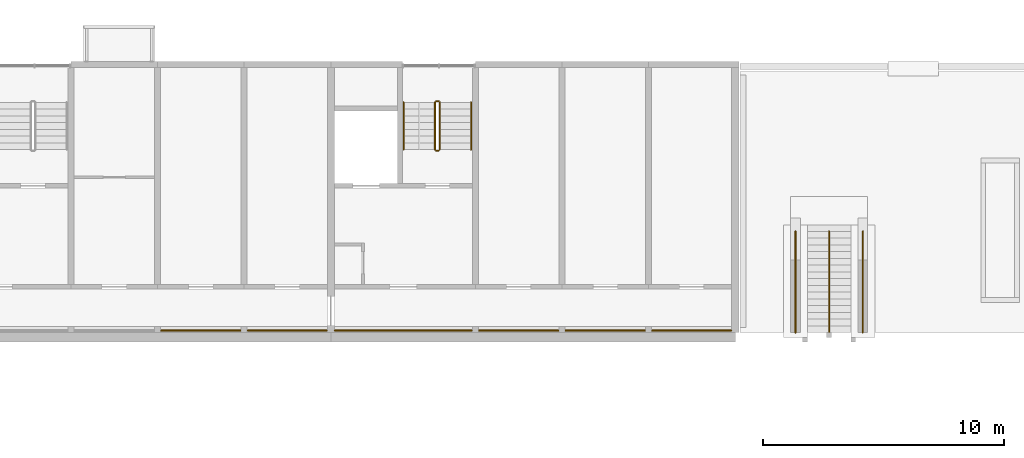
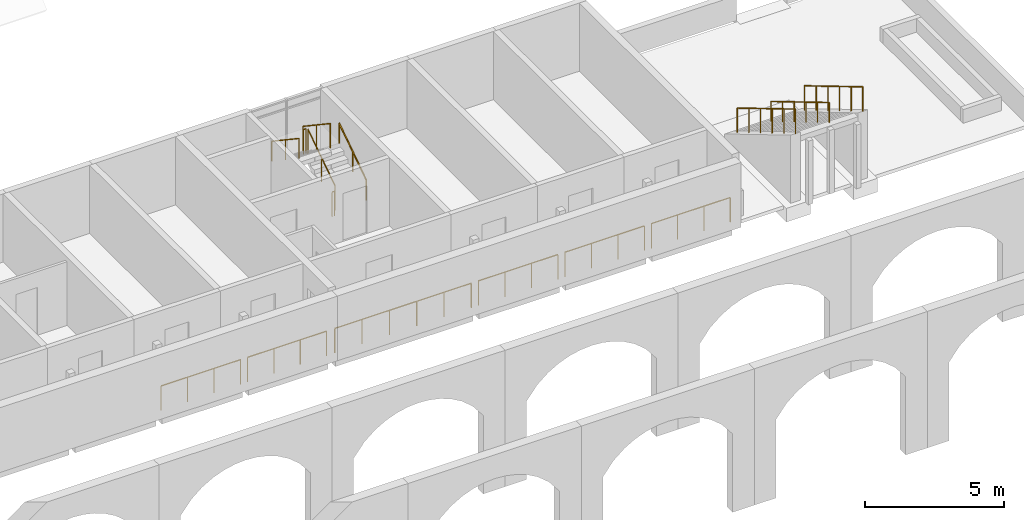
# One storey, part 116 of 122: 15 railings.
"""IFC4 building model written with IfcOpenShell, lengths in metres."""

from ifc_helpers import new_model, si_unit, direction, frame, origin, origin_2d, place, context, subcontext, project, spatial, circle, extrude, material, type_object, element, save


model = new_model("IFC4")

# Units and contexts
model_context = context("Model", 3, precision=1e-05, world=origin(), true_north=direction((0.0, 1.0)))
body_context = subcontext(model_context, "Body", "Model", "MODEL_VIEW")
ifc_project = project(units=[si_unit("LENGTHUNIT", "METRE"), si_unit("AREAUNIT", "SQUARE_METRE"), si_unit("VOLUMEUNIT", "CUBIC_METRE"), si_unit("PLANEANGLEUNIT", "RADIAN"), si_unit("MASSUNIT", "GRAM", prefix="KILO")], contexts=[model_context])

# Site, building, storey
site_placement = place(None, origin())
site = spatial("IfcSite", under=ifc_project, at=site_placement, CompositionType="ELEMENT")
building_placement = place(site_placement, origin())
building = spatial("IfcBuilding", under=site, at=building_placement, Name="Ridgestep Commons", CompositionType="ELEMENT")
storey_placement = place(building_placement, frame((0.0, 0.0, 3.0)))
storey = spatial("IfcBuildingStorey", under=building, at=storey_placement, Name="L01", CompositionType="ELEMENT", Elevation=3.0)

# Railings
ifc_material_1 = material(Name="Structural steel S355JR", Category="steel")
railing_type_1 = type_object("IfcRailingType", Name="Community stair guard 1100", PredefinedType="GUARDRAIL", material=ifc_material_1)
for number, where, name in (
    (1, (250.10009765625, 15.949951171875, 0.5), "Stair guard"),
    (2, (252.89990234375, 15.949951171875, 0.5), "Stair guard"),
):
    element("IfcRailing", number, at=place(storey_placement, frame(where)), inside=storey, type_object=railing_type_1, Name=name, PredefinedType="GUARDRAIL", context=body_context, shape_type="SweptSolid", body=[
        extrude(circle(Radius=0.02392578125, at=origin_2d()), frame((0.0, 0.0, 1.076171875), z_axis=(0.0, -0.859290270856, 0.511488250512), x_axis=(1.0, 0.0, 0.0)), (0.0, 0.0, 1.0), 4.8876953125),
        extrude(circle(Radius=0.02099609375, at=origin_2d()), origin(), (0.0, 0.0, 1.0), 1.052001953125),
        extrude(circle(Radius=0.02099609375, at=origin_2d()), frame((0.0, -0.840087890625, 0.5)), (0.0, 0.0, 1.0), 1.052001953125),
        extrude(circle(Radius=0.02099609375, at=origin_2d()), frame((0.0, -1.679931640625, 1.0)), (0.0, 0.0, 1.0), 1.052001953125),
        extrude(circle(Radius=0.02099609375, at=origin_2d()), frame((0.0, -2.52001953125, 1.5)), (0.0, 0.0, 1.0), 1.052001953125),
        extrude(circle(Radius=0.02099609375, at=origin_2d()), frame((0.0, -3.35986328125, 2.0)), (0.0, 0.0, 1.0), 1.052001953125),
        extrude(circle(Radius=0.02099609375, at=origin_2d()), frame((0.0, -4.199951171875, 2.5)), (0.0, 0.0, 1.0), 1.052001953125),
    ])
ifc_material_2 = material(Name="Structural steel S355JR", Category="steel")
railing_type_2 = type_object("IfcRailingType", Name="Community stair handrail 900", PredefinedType="HANDRAIL", material=ifc_material_2)
railing_1_placement = place(storey_placement, frame((251.5, 15.949951171875, 0.5)))
element("IfcRailing", 3, at=railing_1_placement, inside=storey, type_object=railing_type_2, Name="Stair centre handrail", PredefinedType="HANDRAIL", context=body_context, shape_type="SweptSolid", body=[
    extrude(circle(Radius=0.02392578125, at=origin_2d()), frame((0.0, 0.0, 0.8759765625), z_axis=(0.0, -0.859290270856, 0.511488250512), x_axis=(1.0, 0.0, 0.0)), (0.0, 0.0, 1.0), 4.8876953125),
    extrude(circle(Radius=0.02099609375, at=origin_2d()), origin(), (0.0, 0.0, 1.0), 0.851806640625),
    extrude(circle(Radius=0.02099609375, at=origin_2d()), frame((0.0, -0.840087890625, 0.5)), (0.0, 0.0, 1.0), 0.851806640625),
    extrude(circle(Radius=0.02099609375, at=origin_2d()), frame((0.0, -1.679931640625, 1.0)), (0.0, 0.0, 1.0), 0.851806640625),
    extrude(circle(Radius=0.02099609375, at=origin_2d()), frame((0.0, -2.52001953125, 1.5)), (0.0, 0.0, 1.0), 0.851806640625),
    extrude(circle(Radius=0.02099609375, at=origin_2d()), frame((0.0, -3.35986328125, 2.0)), (0.0, 0.0, 1.0), 0.851806640625),
    extrude(circle(Radius=0.02099609375, at=origin_2d()), frame((0.0, -4.199951171875, 2.5)), (0.0, 0.0, 1.0), 0.851806640625),
])
ifc_material_3 = material(Name="Structural steel S355JR galvanised", Category="steel")
railing_type_3 = type_object("IfcRailingType", Name="Passage guard 1100", PredefinedType="GUARDRAIL", material=ifc_material_3)
railing_2_placement = place(storey_placement, frame((223.74609375, 11.830078125, 0.0)))
element("IfcRailing", 4, at=railing_2_placement, inside=storey, type_object=railing_type_3, Name="Passage guard D 01.19", PredefinedType="GUARDRAIL", context=body_context, shape_type="SweptSolid", body=[
    extrude(circle(Radius=0.02392578125, at=origin_2d()), frame((0.0, 0.0, 1.076171875), z_axis=(1.0, 0.0, 0.0), x_axis=(0.0, 1.0, 0.0)), (0.0, 0.0, 1.0), 3.307861328125),
    extrude(circle(Radius=0.02099609375, at=origin_2d()), origin(), (0.0, 0.0, 1.0), 1.052001953125),
    extrude(circle(Radius=0.02099609375, at=origin_2d()), frame((1.1025390625, 0.0, 0.0)), (0.0, 0.0, 1.0), 1.052001953125),
    extrude(circle(Radius=0.02099609375, at=origin_2d()), frame((2.205322265625, 0.0, 0.0)), (0.0, 0.0, 1.0), 1.052001953125),
    extrude(circle(Radius=0.02099609375, at=origin_2d()), frame((3.307861328125, 0.0, 0.0)), (0.0, 0.0, 1.0), 1.052001953125),
])
railing_3_placement = place(storey_placement, frame((227.345947265625, 11.830078125, 0.0)))
element("IfcRailing", 5, at=railing_3_placement, inside=storey, type_object=railing_type_3, Name="Passage guard D 01.20", PredefinedType="GUARDRAIL", context=body_context, shape_type="SweptSolid", body=[
    extrude(circle(Radius=0.02392578125, at=origin_2d()), frame((0.0, 0.0, 1.076171875), z_axis=(1.0, 0.0, 0.0), x_axis=(0.0, 1.0, 0.0)), (0.0, 0.0, 1.0), 3.282958984375),
    extrude(circle(Radius=0.02099609375, at=origin_2d()), origin(), (0.0, 0.0, 1.0), 1.052001953125),
    extrude(circle(Radius=0.02099609375, at=origin_2d()), frame((1.09423828125, 0.0, 0.0)), (0.0, 0.0, 1.0), 1.052001953125),
    extrude(circle(Radius=0.02099609375, at=origin_2d()), frame((2.188720703125, 0.0, 0.0)), (0.0, 0.0, 1.0), 1.052001953125),
    extrude(circle(Radius=0.02099609375, at=origin_2d()), frame((3.282958984375, 0.0, 0.0)), (0.0, 0.0, 1.0), 1.052001953125),
])
railing_4_placement = place(storey_placement, frame((230.970947265625, 11.830078125, 0.0)))
element("IfcRailing", 6, at=railing_4_placement, inside=storey, type_object=railing_type_3, Name="Passage guard D 01.21", PredefinedType="GUARDRAIL", context=body_context, shape_type="SweptSolid", body=[
    extrude(circle(Radius=0.02392578125, at=origin_2d()), frame((0.0, 0.0, 1.076171875), z_axis=(1.0, 0.0, 0.0), x_axis=(0.0, 1.0, 0.0)), (0.0, 0.0, 1.0), 5.68310546875),
    extrude(circle(Radius=0.02099609375, at=origin_2d()), origin(), (0.0, 0.0, 1.0), 1.052001953125),
    extrude(circle(Radius=0.02099609375, at=origin_2d()), frame((1.13671875, 0.0, 0.0)), (0.0, 0.0, 1.0), 1.052001953125),
    extrude(circle(Radius=0.02099609375, at=origin_2d()), frame((2.273193359375, 0.0, 0.0)), (0.0, 0.0, 1.0), 1.052001953125),
    extrude(circle(Radius=0.02099609375, at=origin_2d()), frame((3.409912109375, 0.0, 0.0)), (0.0, 0.0, 1.0), 1.052001953125),
    extrude(circle(Radius=0.02099609375, at=origin_2d()), frame((4.54638671875, 0.0, 0.0)), (0.0, 0.0, 1.0), 1.052001953125),
    extrude(circle(Radius=0.02099609375, at=origin_2d()), frame((5.68310546875, 0.0, 0.0)), (0.0, 0.0, 1.0), 1.052001953125),
])
railing_5_placement = place(storey_placement, frame((236.946044921875, 11.830078125, 0.0)))
element("IfcRailing", 7, at=railing_5_placement, inside=storey, type_object=railing_type_3, Name="Passage guard D 01.22", PredefinedType="GUARDRAIL", context=body_context, shape_type="SweptSolid", body=[
    extrude(circle(Radius=0.02392578125, at=origin_2d()), frame((0.0, 0.0, 1.076171875), z_axis=(1.0, 0.0, 0.0), x_axis=(0.0, 1.0, 0.0)), (0.0, 0.0, 1.0), 3.307861328125),
    extrude(circle(Radius=0.02099609375, at=origin_2d()), origin(), (0.0, 0.0, 1.0), 1.052001953125),
    extrude(circle(Radius=0.02099609375, at=origin_2d()), frame((1.1025390625, 0.0, 0.0)), (0.0, 0.0, 1.0), 1.052001953125),
    extrude(circle(Radius=0.02099609375, at=origin_2d()), frame((2.205322265625, 0.0, 0.0)), (0.0, 0.0, 1.0), 1.052001953125),
    extrude(circle(Radius=0.02099609375, at=origin_2d()), frame((3.307861328125, 0.0, 0.0)), (0.0, 0.0, 1.0), 1.052001953125),
])
railing_6_placement = place(storey_placement, frame((240.5458984375, 11.830078125, 0.0)))
element("IfcRailing", 8, at=railing_6_placement, inside=storey, type_object=railing_type_3, Name="Passage guard D 01.23", PredefinedType="GUARDRAIL", context=body_context, shape_type="SweptSolid", body=[
    extrude(circle(Radius=0.02392578125, at=origin_2d()), frame((0.0, 0.0, 1.076171875), z_axis=(1.0, 0.0, 0.0), x_axis=(0.0, 1.0, 0.0)), (0.0, 0.0, 1.0), 3.30810546875),
    extrude(circle(Radius=0.02099609375, at=origin_2d()), origin(), (0.0, 0.0, 1.0), 1.052001953125),
    extrude(circle(Radius=0.02099609375, at=origin_2d()), frame((1.102783203125, 0.0, 0.0)), (0.0, 0.0, 1.0), 1.052001953125),
    extrude(circle(Radius=0.02099609375, at=origin_2d()), frame((2.205322265625, 0.0, 0.0)), (0.0, 0.0, 1.0), 1.052001953125),
    extrude(circle(Radius=0.02099609375, at=origin_2d()), frame((3.30810546875, 0.0, 0.0)), (0.0, 0.0, 1.0), 1.052001953125),
])
railing_7_placement = place(storey_placement, frame((244.14599609375, 11.830078125, 0.0)))
element("IfcRailing", 9, at=railing_7_placement, inside=storey, type_object=railing_type_3, Name="Passage guard D 01.24", PredefinedType="GUARDRAIL", context=body_context, shape_type="SweptSolid", body=[
    extrude(circle(Radius=0.02392578125, at=origin_2d()), frame((0.0, 0.0, 1.076171875), z_axis=(1.0, 0.0, 0.0), x_axis=(0.0, 1.0, 0.0)), (0.0, 0.0, 1.0), 3.282958984375),
    extrude(circle(Radius=0.02099609375, at=origin_2d()), origin(), (0.0, 0.0, 1.0), 1.052001953125),
    extrude(circle(Radius=0.02099609375, at=origin_2d()), frame((1.09423828125, 0.0, 0.0)), (0.0, 0.0, 1.0), 1.052001953125),
    extrude(circle(Radius=0.02099609375, at=origin_2d()), frame((2.188720703125, 0.0, 0.0)), (0.0, 0.0, 1.0), 1.052001953125),
    extrude(circle(Radius=0.02099609375, at=origin_2d()), frame((3.282958984375, 0.0, 0.0)), (0.0, 0.0, 1.0), 1.052001953125),
])
ifc_material_4 = material(Name="Structural steel S355JR", Category="steel")
railing_type_4 = type_object("IfcRailingType", Name="Stair guard 1100", PredefinedType="GUARDRAIL", material=ifc_material_4)
railing_8_placement = place(storey_placement, frame((235.324951171875, 19.35009765625, 0.1875)))
element("IfcRailing", 10, at=railing_8_placement, inside=storey, type_object=railing_type_4, Name="L01 D6C stair guard 1", PredefinedType="GUARDRAIL", context=body_context, shape_type="SweptSolid", body=[
    extrude(circle(Radius=0.02392578125, at=origin_2d()), frame((0.0, 0.0, 1.076171875), z_axis=(0.0, 0.830902050051, 0.556418712142), x_axis=(-1.0, 0.0, 0.0)), (0.0, 0.0, 1.0), 2.35888671875),
    extrude(circle(Radius=0.02099609375, at=origin_2d()), origin(), (0.0, 0.0, 1.0), 1.052001953125),
    extrude(circle(Radius=0.02099609375, at=origin_2d()), frame((0.0, 0.97998046875, 0.65625)), (0.0, 0.0, 1.0), 1.052001953125),
    extrude(circle(Radius=0.02099609375, at=origin_2d()), frame((0.0, 1.9599609375, 1.3125)), (0.0, 0.0, 1.0), 1.052001953125),
])
railing_9_placement = place(storey_placement, frame((235.27490234375, 21.360107421875, 1.5)))
element("IfcRailing", 11, at=railing_9_placement, inside=storey, type_object=railing_type_4, Name="L01 D6C stair guard 2", PredefinedType="GUARDRAIL", context=body_context, shape_type="SweptSolid", body=[
    extrude(circle(Radius=0.02392578125, at=origin_2d()), frame((0.0, 0.0, 1.076171875), z_axis=(-1.0, 0.0, 0.0), x_axis=(0.0, -1.0, 0.0)), (0.0, 0.0, 1.0), 0.099853515625),
    extrude(circle(Radius=0.02099609375, at=origin_2d()), origin(), (0.0, 0.0, 1.0), 1.052001953125),
    extrude(circle(Radius=0.02099609375, at=origin_2d()), frame((-0.099853515625, 0.0, 0.0)), (0.0, 0.0, 1.0), 1.052001953125),
])
railing_10_placement = place(storey_placement, frame((235.125, 21.31005859375, 1.6875)))
element("IfcRailing", 12, at=railing_10_placement, inside=storey, type_object=railing_type_4, Name="L01 D6C stair guard 3", PredefinedType="GUARDRAIL", context=body_context, shape_type="SweptSolid", body=[
    extrude(circle(Radius=0.02392578125, at=origin_2d()), frame((0.0, 0.0, 1.076171875), z_axis=(0.0, -0.830902050051, 0.556418712142), x_axis=(1.0, 0.0, 0.0)), (0.0, 0.0, 1.0), 2.35888671875),
    extrude(circle(Radius=0.02099609375, at=origin_2d()), origin(), (0.0, 0.0, 1.0), 1.052001953125),
    extrude(circle(Radius=0.02099609375, at=origin_2d()), frame((0.0, -0.97998046875, 0.65625)), (0.0, 0.0, 1.0), 1.052001953125),
    extrude(circle(Radius=0.02099609375, at=origin_2d()), frame((0.0, -1.9599609375, 1.3125)), (0.0, 0.0, 1.0), 1.052001953125),
])
railing_11_placement = place(storey_placement, frame((235.27490234375, 19.300048828125, 0.0)))
element("IfcRailing", 13, at=railing_11_placement, inside=storey, type_object=railing_type_4, Name="L01 D6C stair guard 4", PredefinedType="GUARDRAIL", context=body_context, shape_type="SweptSolid", body=[
    extrude(circle(Radius=0.02392578125, at=origin_2d()), frame((0.0, 0.0, 1.076171875), z_axis=(-1.0, 0.0, 0.0), x_axis=(0.0, -1.0, 0.0)), (0.0, 0.0, 1.0), 0.099853515625),
    extrude(circle(Radius=0.02099609375, at=origin_2d()), origin(), (0.0, 0.0, 1.0), 1.052001953125),
    extrude(circle(Radius=0.02099609375, at=origin_2d()), frame((-0.099853515625, 0.0, 0.0)), (0.0, 0.0, 1.0), 1.052001953125),
])
ifc_material_5 = material(Name="Structural steel S355JR", Category="steel")
railing_type_5 = type_object("IfcRailingType", Name="Stair handrail 900", PredefinedType="HANDRAIL", material=ifc_material_5)
railing_12_placement = place(storey_placement, frame((236.625, 19.35009765625, 0.1875)))
element("IfcRailing", 14, at=railing_12_placement, inside=storey, type_object=railing_type_5, Name="L01 D6C stair handrail 1", PredefinedType="HANDRAIL", context=body_context, shape_type="SweptSolid", body=[
    extrude(circle(Radius=0.02392578125, at=origin_2d()), frame((0.0, 0.0, 0.8759765625), z_axis=(0.0, 0.830902050051, 0.556418712142), x_axis=(-1.0, 0.0, 0.0)), (0.0, 0.0, 1.0), 2.35888671875),
    extrude(circle(Radius=0.02099609375, at=origin_2d()), origin(), (0.0, 0.0, 1.0), 0.851806640625),
    extrude(circle(Radius=0.02099609375, at=origin_2d()), frame((0.0, 0.97998046875, 0.65625)), (0.0, 0.0, 1.0), 0.851806640625),
    extrude(circle(Radius=0.02099609375, at=origin_2d()), frame((0.0, 1.9599609375, 1.3125)), (0.0, 0.0, 1.0), 0.851806640625),
])
railing_13_placement = place(storey_placement, frame((233.824951171875, 21.31005859375, 1.6875)))
element("IfcRailing", 15, at=railing_13_placement, inside=storey, type_object=railing_type_5, Name="L01 D6C stair handrail 2", PredefinedType="HANDRAIL", context=body_context, shape_type="SweptSolid", body=[
    extrude(circle(Radius=0.02392578125, at=origin_2d()), frame((0.0, 0.0, 0.8759765625), z_axis=(0.0, -0.830902050051, 0.556418712142), x_axis=(1.0, 0.0, 0.0)), (0.0, 0.0, 1.0), 2.35888671875),
    extrude(circle(Radius=0.02099609375, at=origin_2d()), origin(), (0.0, 0.0, 1.0), 0.851806640625),
    extrude(circle(Radius=0.02099609375, at=origin_2d()), frame((0.0, -0.97998046875, 0.65625)), (0.0, 0.0, 1.0), 0.851806640625),
    extrude(circle(Radius=0.02099609375, at=origin_2d()), frame((0.0, -1.9599609375, 1.3125)), (0.0, 0.0, 1.0), 0.851806640625),
])

save(model, "model.ifc")
